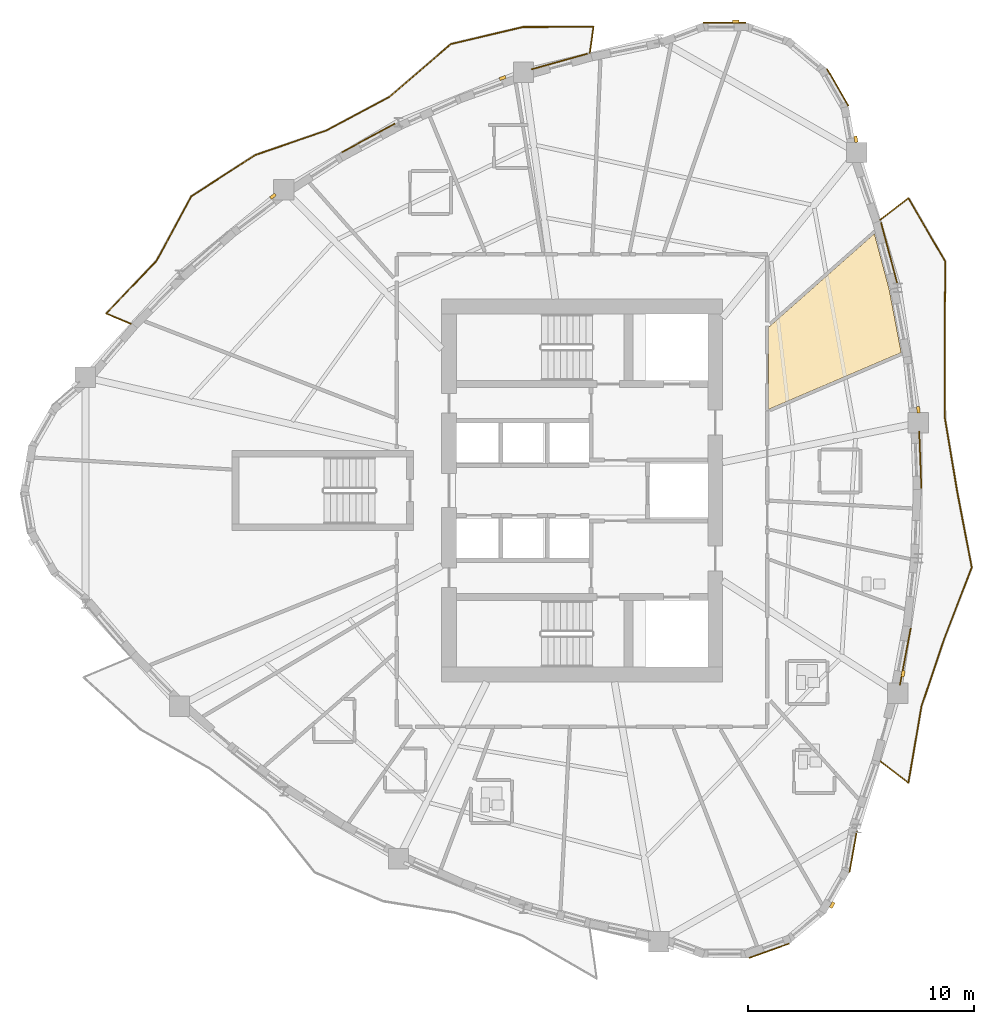
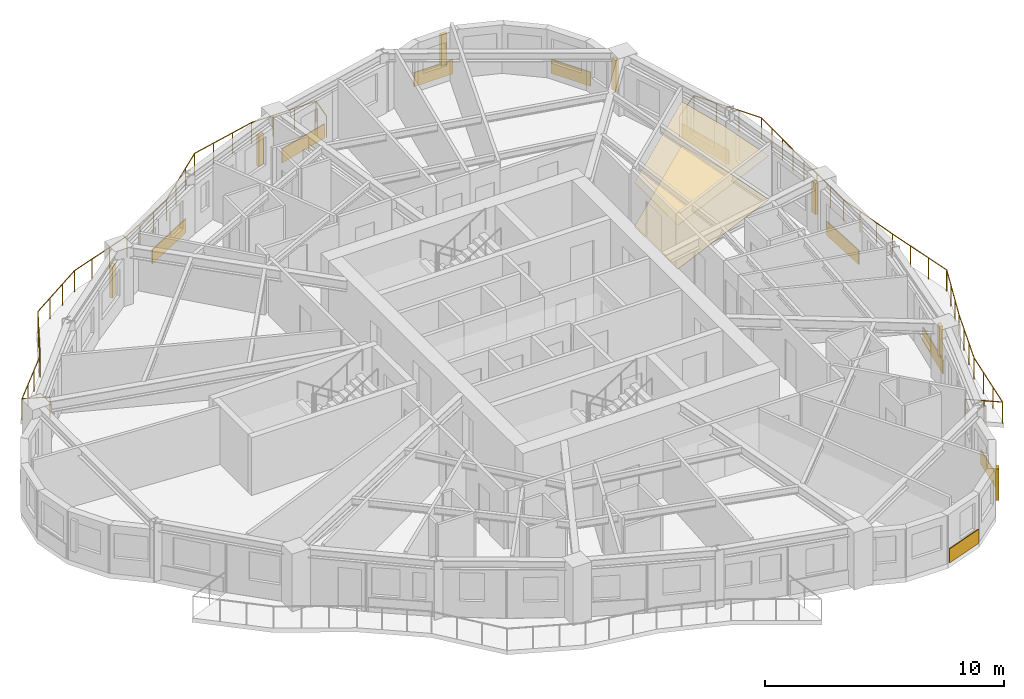
# One storey, part 12 of 13: 11 coverings, 7 shading devices, 2 railings.
"""IFC4 building model written with IfcOpenShell, lengths in metres."""

from ifc_helpers import new_model, si_unit, direction, frame, origin, origin_2d, place, context, subcontext, project, spatial, polyline, rectangle, circle, outline, extrude, source, transform, mapped, material, layer, layer_set, type_object, element, save


model = new_model("IFC4")

# Units and contexts
model_context = context("Model", 3, precision=1e-05, world=origin(), true_north=direction((0.0, 1.0)))
body_context = subcontext(model_context, "Body", "Model", "MODEL_VIEW")
ifc_project = project(units=[si_unit("LENGTHUNIT", "METRE"), si_unit("AREAUNIT", "SQUARE_METRE"), si_unit("VOLUMEUNIT", "CUBIC_METRE"), si_unit("PLANEANGLEUNIT", "RADIAN"), si_unit("MASSUNIT", "GRAM", prefix="KILO")], contexts=[model_context])

# Site, building, storey
site_placement = place(None, origin())
site = spatial("IfcSite", under=ifc_project, at=site_placement, CompositionType="ELEMENT")
building_placement = place(site_placement, origin())
building = spatial("IfcBuilding", under=site, at=building_placement, Name="Qafzar Sky-Pleat Residences", CompositionType="ELEMENT")
storey_placement = place(building_placement, frame((0.0, 0.0, 102.39990234375)))
storey = spatial("IfcBuildingStorey", under=building, at=storey_placement, Name="L30", CompositionType="ELEMENT", Elevation=102.39990234375)

# Coverings
ifc_material_1 = material(Name="Perforated acoustic gypsum board ceiling")
ifc_layer_1 = layer(ifc_material_1, 0.02001953125)
ifc_layer_set_1 = layer_set([ifc_layer_1], Name="Perforated acoustic gypsum board ceiling")
covering_type_1 = type_object("IfcCoveringType", Name="COV-CEIL-ACOUSTIC", PredefinedType="CEILING", material=ifc_layer_set_1)
covering_1_placement = place(storey_placement, frame((0.0, 0.0, 2.239990234375)))
element("IfcCovering", 1, at=covering_1_placement, inside=storey, type_object=covering_type_1, Name="L30 Communal Kitchen Acoustic Ceiling", PredefinedType="CEILING", context=body_context, shape_type="SweptSolid", body=[
    extrude(outline(polyline([(43.91162109375, 34.867431640625), (44.439453125, 32.089599609375), (38.590087890625, 29.58837890625), (38.590087890625, 33.20849609375), (43.25537109375, 37.335205078125), (43.91162109375, 34.867431640625)])), origin(), (0.0, 0.0, 1.0), 0.02001953125),
])
ifc_material_2 = material(Name="Honed porcelain and Riyadh stone tile flooring", Category="masonry")
ifc_layer_2 = layer(ifc_material_2, 0.02001953125)
ifc_layer_set_2 = layer_set([ifc_layer_2], Name="Honed porcelain and Riyadh stone tile flooring")
covering_type_2 = type_object("IfcCoveringType", Name="COV-FLR-PORCELAIN", PredefinedType="FLOORING", material=ifc_layer_set_2)
covering_2_placement = place(storey_placement, origin())
element("IfcCovering", 2, at=covering_2_placement, inside=storey, type_object=covering_type_2, Name="L30 Communal Kitchen Honed Stone Flooring", PredefinedType="FLOORING", context=body_context, shape_type="SweptSolid", body=[
    extrude(outline(polyline([(43.91162109375, 34.867431640625), (44.439453125, 32.089599609375), (38.590087890625, 29.58837890625), (38.590087890625, 33.20849609375), (43.25537109375, 37.335205078125), (43.91162109375, 34.867431640625)])), origin(), (0.0, 0.0, 1.0), 0.02001953125),
])

# Shading devices
ifc_material_3 = material(Name="Honed Riyadh limestone solar fin", Category="masonry")
ifc_layer_3 = layer(ifc_material_3, 0.139892578125)
ifc_layer_set_3 = layer_set([ifc_layer_3], Name="Honed Riyadh limestone solar fin")
shading_device_type = type_object("IfcShadingDeviceType", Name="SHD-FIN-STONE", PredefinedType="SHUTTER", material=ifc_layer_set_3)
shared_shape_1 = source(origin(), body_context, "Body", "SweptSolid", [
    extrude(rectangle(XDim=0.139892578125, YDim=0.280029296875, at=origin_2d()), origin(), (0.0, 0.0, 1.0), 1.60009765625),
])
for number, where, z_axis, x_axis, name in (
    (3, (41.394287109375, 7.69677734375, 0.60009765625), (0.0, 0.0, 1.0), (0.864886560434, -0.501967367047, 0.0), "L30 Limestone Solar Fin 21"),
    (4, (44.522705078125, 17.9111328125, 0.60009765625), (0.0, 0.0, 1.0), (0.982424029178, -0.18666286962, 0.0), "L30 Limestone Solar Fin 25"),
    (5, (45.19873046875, 29.564453125, 0.60009765625), (0.0, 0.0, 1.0), (0.993566321057, 0.11325177995, 0.0), "L30 Limestone Solar Fin 29"),
    (6, (42.439453125, 41.510986328125, 0.60009765625), (0.0, 0.0, 1.0), (0.984675881773, 0.174394403163, 0.0), "L30 Limestone Solar Fin 33"),
    (7, (37.140625, 46.702880859375, 0.60009765625), (0.0, 0.0, 1.0), (-0.006821730637, 0.999976731725, 0.0), "L30 Limestone Solar Fin 37"),
    (8, (26.839111328125, 44.211181640625, 0.60009765625), (0.0, 0.0, 1.0), (-0.338159399338, 0.94108884843, 0.0), "L30 Limestone Solar Fin 41"),
    (9, (16.702880859375, 38.9931640625, 0.60009765625), (0.0, 0.0, 1.0), (-0.602161786865, 0.798374086778, 0.0), "L30 Limestone Solar Fin 45"),
):
    element("IfcShadingDevice", number, at=place(storey_placement, frame(where, z_axis=z_axis, x_axis=x_axis)), inside=storey, type_object=shading_device_type, Name=name, PredefinedType="SHUTTER", context=body_context, shape_type="MappedRepresentation", body=[
        mapped(shared_shape_1, transform((0.0, 0.0, 0.0), x_axis=(1.0, 0.0, 0.0), y_axis=(0.0, 1.0, 0.0), z_axis=(0.0, 0.0, 1.0), scale=1.0)),
    ])

# Coverings
ifc_material_4 = material(Name="Honed Riyadh Tuwaiq limestone cladding", Category="masonry")
ifc_layer_4 = layer(ifc_material_4, 0.044921875)
ifc_layer_set_4 = layer_set([ifc_layer_4], Name="Honed Riyadh Tuwaiq limestone cladding")
covering_type_3 = type_object("IfcCoveringType", Name="COV-CLAD-STONE", PredefinedType="CLADDING", material=ifc_layer_set_4)
shared_shape_2 = source(origin(), body_context, "Body", "SweptSolid", [
    extrude(rectangle(XDim=1.88916015625, YDim=0.044921875, at=origin_2d()), origin(), (0.0, 0.0, 1.0), 0.719970703125),
])
for number, where, z_axis, x_axis, name in (
    (10, (38.609619140625, 5.678955078125, 0.02001953125), (0.0, 0.0, 1.0), (0.941488360606, 0.337045496698, 0.0), "L30 Riyadh Limestone Spandrel Cladding 19"),
    (11, (41.635986328125, 43.80126953125, 0.02001953125), (0.0, 0.0, 1.0), (-0.501956209509, 0.864893036008, 0.0), "L30 Riyadh Limestone Spandrel Cladding 34"),
    (12, (36.63818359375, 46.65625, 0.02001953125), (0.0, 0.0, 1.0), (-0.999976465978, -0.006860575119, 0.0), "L30 Riyadh Limestone Spandrel Cladding 37"),
):
    element("IfcCovering", number, at=place(storey_placement, frame(where, z_axis=z_axis, x_axis=x_axis)), inside=storey, type_object=covering_type_3, Name=name, PredefinedType="CLADDING", context=body_context, shape_type="MappedRepresentation", body=[
        mapped(shared_shape_2, transform((0.0, 0.0, 0.0), x_axis=(1.0, 0.0, 0.0), y_axis=(0.0, 1.0, 0.0), z_axis=(0.0, 0.0, 1.0), scale=1.0)),
    ])
shared_shape_3 = source(origin(), body_context, "Body", "SweptSolid", [
    extrude(rectangle(XDim=1.8369140625, YDim=0.044921875, at=origin_2d()), origin(), (0.0, 0.0, 1.0), 0.719970703125),
])
covering_3_placement = place(storey_placement, frame((42.317626953125, 10.04833984375, 0.02001953125), z_axis=(0.0, 0.0, 1.0), x_axis=(0.174369449256, 0.984680300994, 0.0)))
element("IfcCovering", 13, at=covering_3_placement, inside=storey, type_object=covering_type_3, Name="L30 Riyadh Limestone Spandrel Cladding 22", PredefinedType="CLADDING", context=body_context, shape_type="MappedRepresentation", body=[
    mapped(shared_shape_3, transform((0.0, 0.0, 0.0), x_axis=(1.0, 0.0, 0.0), y_axis=(0.0, 1.0, 0.0), z_axis=(0.0, 0.0, 1.0), scale=1.0)),
])

# Railings
ifc_material_5 = material(Name="Laminated glass and bronze steel balustrade", Category="steel")
railing_type = type_object("IfcRailingType", Name="RAIL-BAL-1100", PredefinedType="BALUSTRADE", material=ifc_material_5)
shared_shape_4 = source(origin(), body_context, "Body", "SweptSolid", [
    extrude(circle(Radius=0.02392578125, at=origin_2d()), frame((0.0, 0.0, 1.076171875), z_axis=(0.792134861586, -0.610346099406, 0.0), x_axis=(0.610346099406, 0.792134861586, 0.0)), (0.0, 0.0, 1.0), 1.578125),
    extrude(circle(Radius=0.02392578125, at=origin_2d()), frame((1.25, -0.963134765625, 1.076171875), z_axis=(0.16829814939, 0.98573613757, 0.0), x_axis=(-0.98573613757, 0.16829814939, 0.0)), (0.0, 0.0, 1.0), 3.4306640625),
    extrude(circle(Radius=0.02392578125, at=origin_2d()), frame((1.827392578125, 2.418701171875, 1.076171875), z_axis=(0.320144738717, 0.947368643281, 0.0), x_axis=(-0.947368643281, 0.320144738717, 0.0)), (0.0, 0.0, 1.0), 3.1953125),
    extrude(circle(Radius=0.02392578125, at=origin_2d()), frame((2.850341796875, 5.44580078125, 1.076171875), z_axis=(0.359283753865, 0.93322836659, 0.0), x_axis=(-0.93322836659, 0.359283753865, 0.0)), (0.0, 0.0, 1.0), 3.328857421875),
    extrude(circle(Radius=0.02392578125, at=origin_2d()), frame((4.04638671875, 8.552490234375, 1.076171875), z_axis=(-0.188514556137, 0.982070395707, 0.0), x_axis=(-0.982070395707, -0.188514556137, 0.0)), (0.0, 0.0, 1.0), 3.455322265625),
    extrude(circle(Radius=0.02392578125, at=origin_2d()), frame((3.39501953125, 11.94580078125, 1.076171875), z_axis=(-0.164227484923, 0.986422492239, 0.0), x_axis=(-0.986422492239, -0.164227484923, 0.0)), (0.0, 0.0, 1.0), 3.23193359375),
    extrude(circle(Radius=0.02392578125, at=origin_2d()), frame((2.8642578125, 15.1337890625, 1.076171875), z_axis=(-0.004201643584, 0.999991173057, 0.0), x_axis=(-0.999991173057, -0.004201643584, 0.0)), (0.0, 0.0, 1.0), 3.31201171875),
    extrude(circle(Radius=0.02392578125, at=origin_2d()), frame((2.850341796875, 18.44580078125, 1.076171875), z_axis=(0.007923359565, 0.999968609694, 0.0), x_axis=(-0.999968609694, 0.007923359565, 0.0)), (0.0, 0.0, 1.0), 3.60498046875),
    extrude(circle(Radius=0.02392578125, at=origin_2d()), frame((2.87890625, 22.05078125, 1.076171875), z_axis=(-0.502320766791, 0.864681355905, 0.0), x_axis=(-0.864681355905, -0.502320766791, 0.0)), (0.0, 0.0, 1.0), 3.24267578125),
    extrude(circle(Radius=0.02392578125, at=origin_2d()), frame((1.25, 24.854736328125, 1.076171875), z_axis=(-0.792134861586, -0.610346099406, 0.0), x_axis=(0.610346099406, -0.792134861586, 0.0)), (0.0, 0.0, 1.0), 1.578125),
    extrude(circle(Radius=0.02099609375, at=origin_2d()), origin(), (0.0, 0.0, 1.0), 1.052001953125),
    extrude(circle(Radius=0.02099609375, at=origin_2d()), frame((0.625, -0.4814453125, 0.0)), (0.0, 0.0, 1.0), 1.052001953125),
    extrude(circle(Radius=0.02099609375, at=origin_2d()), frame((1.25, -0.963134765625, 0.0)), (0.0, 0.0, 1.0), 1.052001953125),
    extrude(circle(Radius=0.02099609375, at=origin_2d()), frame((1.4423828125, 0.1640625, 0.0)), (0.0, 0.0, 1.0), 1.052001953125),
    extrude(circle(Radius=0.02099609375, at=origin_2d()), frame((1.635009765625, 1.29150390625, 0.0)), (0.0, 0.0, 1.0), 1.052001953125),
    extrude(circle(Radius=0.02099609375, at=origin_2d()), frame((1.827392578125, 2.418701171875, 0.0)), (0.0, 0.0, 1.0), 1.052001953125),
    extrude(circle(Radius=0.02099609375, at=origin_2d()), frame((2.16845703125, 3.427734375, 0.0)), (0.0, 0.0, 1.0), 1.052001953125),
    extrude(circle(Radius=0.02099609375, at=origin_2d()), frame((2.50927734375, 4.436767578125, 0.0)), (0.0, 0.0, 1.0), 1.052001953125),
    extrude(circle(Radius=0.02099609375, at=origin_2d()), frame((2.850341796875, 5.44580078125, 0.0)), (0.0, 0.0, 1.0), 1.052001953125),
    extrude(circle(Radius=0.02099609375, at=origin_2d()), frame((3.2490234375, 6.4814453125, 0.0)), (0.0, 0.0, 1.0), 1.052001953125),
    extrude(circle(Radius=0.02099609375, at=origin_2d()), frame((3.647705078125, 7.516845703125, 0.0)), (0.0, 0.0, 1.0), 1.052001953125),
    extrude(circle(Radius=0.02099609375, at=origin_2d()), frame((4.04638671875, 8.552490234375, 0.0)), (0.0, 0.0, 1.0), 1.052001953125),
    extrude(circle(Radius=0.02099609375, at=origin_2d()), frame((3.829345703125, 9.68359375, 0.0)), (0.0, 0.0, 1.0), 1.052001953125),
    extrude(circle(Radius=0.02099609375, at=origin_2d()), frame((3.612060546875, 10.814697265625, 0.0)), (0.0, 0.0, 1.0), 1.052001953125),
    extrude(circle(Radius=0.02099609375, at=origin_2d()), frame((3.39501953125, 11.94580078125, 0.0)), (0.0, 0.0, 1.0), 1.052001953125),
    extrude(circle(Radius=0.02099609375, at=origin_2d()), frame((3.218017578125, 13.008544921875, 0.0)), (0.0, 0.0, 1.0), 1.052001953125),
    extrude(circle(Radius=0.02099609375, at=origin_2d()), frame((3.041259765625, 14.071044921875, 0.0)), (0.0, 0.0, 1.0), 1.052001953125),
    extrude(circle(Radius=0.02099609375, at=origin_2d()), frame((2.8642578125, 15.1337890625, 0.0)), (0.0, 0.0, 1.0), 1.052001953125),
    extrude(circle(Radius=0.02099609375, at=origin_2d()), frame((2.859619140625, 16.23779296875, 0.0)), (0.0, 0.0, 1.0), 1.052001953125),
    extrude(circle(Radius=0.02099609375, at=origin_2d()), frame((2.85498046875, 17.341796875, 0.0)), (0.0, 0.0, 1.0), 1.052001953125),
    extrude(circle(Radius=0.02099609375, at=origin_2d()), frame((2.850341796875, 18.44580078125, 0.0)), (0.0, 0.0, 1.0), 1.052001953125),
    extrude(circle(Radius=0.02099609375, at=origin_2d()), frame((2.857421875, 19.34716796875, 0.0)), (0.0, 0.0, 1.0), 1.052001953125),
    extrude(circle(Radius=0.02099609375, at=origin_2d()), frame((2.86474609375, 20.248291015625, 0.0)), (0.0, 0.0, 1.0), 1.052001953125),
    extrude(circle(Radius=0.02099609375, at=origin_2d()), frame((2.871826171875, 21.1494140625, 0.0)), (0.0, 0.0, 1.0), 1.052001953125),
    extrude(circle(Radius=0.02099609375, at=origin_2d()), frame((2.87890625, 22.05078125, 0.0)), (0.0, 0.0, 1.0), 1.052001953125),
    extrude(circle(Radius=0.02099609375, at=origin_2d()), frame((2.3359375, 22.9853515625, 0.0)), (0.0, 0.0, 1.0), 1.052001953125),
    extrude(circle(Radius=0.02099609375, at=origin_2d()), frame((1.79296875, 23.920166015625, 0.0)), (0.0, 0.0, 1.0), 1.052001953125),
    extrude(circle(Radius=0.02099609375, at=origin_2d()), frame((1.25, 24.854736328125, 0.0)), (0.0, 0.0, 1.0), 1.052001953125),
    extrude(circle(Radius=0.02099609375, at=origin_2d()), frame((0.625, 24.373046875, 0.0)), (0.0, 0.0, 1.0), 1.052001953125),
    extrude(circle(Radius=0.02099609375, at=origin_2d()), frame((0.0, 23.8916015625, 0.0)), (0.0, 0.0, 1.0), 1.052001953125),
])
railing_1_placement = place(storey_placement, frame((43.5078125, 14.05419921875, 0.0)))
element("IfcRailing", 14, at=railing_1_placement, inside=storey, type_object=railing_type, Name="L30 Pleated Balcony 1 Balustrade", PredefinedType="BALUSTRADE", context=body_context, shape_type="MappedRepresentation", body=[
    mapped(shared_shape_4, transform((0.0, 0.0, 0.0), x_axis=(1.0, 0.0, 0.0), y_axis=(0.0, 1.0, 0.0), z_axis=(0.0, 0.0, 1.0), scale=1.0)),
])
shared_shape_5 = source(origin(), body_context, "Body", "SweptSolid", [
    extrude(circle(Radius=0.02392578125, at=origin_2d()), frame((0.0, 0.0, 1.076171875), z_axis=(0.138025835279, 0.990428628825, 0.0), x_axis=(-0.990428628825, 0.138025835279, 0.0)), (0.0, 0.0, 1.0), 1.177978515625),
    extrude(circle(Radius=0.02392578125, at=origin_2d()), frame((0.16259765625, 1.166748046875, 1.076171875), z_axis=(-0.999996662065, -0.002583768388, 0.0), x_axis=(0.002583768388, -0.999996662065, 0.0)), (0.0, 0.0, 1.0), 3.1181640625),
    extrude(circle(Radius=0.02392578125, at=origin_2d()), frame((-2.95556640625, 1.15869140625, 1.076171875), z_axis=(-0.973163944314, -0.230112879882, 0.0), x_axis=(0.230112879882, -0.973163944314, 0.0)), (0.0, 0.0, 1.0), 3.269775390625),
    extrude(circle(Radius=0.02392578125, at=origin_2d()), frame((-6.1376953125, 0.40625, 1.076171875), z_axis=(-0.75763261698, -0.652681252747, 0.0), x_axis=(0.652681252747, -0.75763261698, 0.0)), (0.0, 0.0, 1.0), 3.57080078125),
    extrude(circle(Radius=0.02392578125, at=origin_2d()), frame((-8.843017578125, -1.92431640625, 1.076171875), z_axis=(-0.882195949825, -0.470882475903, 0.0), x_axis=(0.470882475903, -0.882195949825, 0.0)), (0.0, 0.0, 1.0), 3.1435546875),
    extrude(circle(Radius=0.02392578125, at=origin_2d()), frame((-11.6162109375, -3.404541015625, 1.076171875), z_axis=(-0.94559712161, -0.325339950826, 0.0), x_axis=(0.325339950826, -0.94559712161, 0.0)), (0.0, 0.0, 1.0), 3.330322265625),
    extrude(circle(Radius=0.02392578125, at=origin_2d()), frame((-14.765380859375, -4.488037109375, 1.076171875), z_axis=(-0.840181380726, -0.542305492763, 0.0), x_axis=(0.542305492763, -0.840181380726, 0.0)), (0.0, 0.0, 1.0), 3.362060546875),
    extrude(circle(Radius=0.02392578125, at=origin_2d()), frame((-17.590087890625, -6.311279296875, 1.076171875), z_axis=(-0.475515457423, -0.879707365976, 0.0), x_axis=(0.879707365976, -0.475515457423, 0.0)), (0.0, 0.0, 1.0), 3.23828125),
    extrude(circle(Radius=0.02392578125, at=origin_2d()), frame((-19.1298828125, -9.159912109375, 1.076171875), z_axis=(-0.689522572327, -0.724264193683, 0.0), x_axis=(0.724264193683, -0.689522572327, 0.0)), (0.0, 0.0, 1.0), 3.218505859375),
    extrude(circle(Radius=0.02392578125, at=origin_2d()), frame((-21.34912109375, -11.490966796875, 1.076171875), z_axis=(0.922351683959, -0.386351357056, 0.0), x_axis=(0.386351357056, 0.922351683959, 0.0)), (0.0, 0.0, 1.0), 1.177978515625),
    extrude(circle(Radius=0.02099609375, at=origin_2d()), origin(), (0.0, 0.0, 1.0), 1.052001953125),
    extrude(circle(Radius=0.02099609375, at=origin_2d()), frame((0.16259765625, 1.166748046875, 0.0)), (0.0, 0.0, 1.0), 1.052001953125),
    extrude(circle(Radius=0.02099609375, at=origin_2d()), frame((-0.876708984375, 1.1640625, 0.0)), (0.0, 0.0, 1.0), 1.052001953125),
    extrude(circle(Radius=0.02099609375, at=origin_2d()), frame((-1.916259765625, 1.161376953125, 0.0)), (0.0, 0.0, 1.0), 1.052001953125),
    extrude(circle(Radius=0.02099609375, at=origin_2d()), frame((-2.95556640625, 1.15869140625, 0.0)), (0.0, 0.0, 1.0), 1.052001953125),
    extrude(circle(Radius=0.02099609375, at=origin_2d()), frame((-4.016357421875, 0.907958984375, 0.0)), (0.0, 0.0, 1.0), 1.052001953125),
    extrude(circle(Radius=0.02099609375, at=origin_2d()), frame((-5.076904296875, 0.656982421875, 0.0)), (0.0, 0.0, 1.0), 1.052001953125),
    extrude(circle(Radius=0.02099609375, at=origin_2d()), frame((-6.1376953125, 0.40625, 0.0)), (0.0, 0.0, 1.0), 1.052001953125),
    extrude(circle(Radius=0.02099609375, at=origin_2d()), frame((-7.03955078125, -0.37060546875, 0.0)), (0.0, 0.0, 1.0), 1.052001953125),
    extrude(circle(Radius=0.02099609375, at=origin_2d()), frame((-7.941162109375, -1.1474609375, 0.0)), (0.0, 0.0, 1.0), 1.052001953125),
    extrude(circle(Radius=0.02099609375, at=origin_2d()), frame((-8.843017578125, -1.92431640625, 0.0)), (0.0, 0.0, 1.0), 1.052001953125),
    extrude(circle(Radius=0.02099609375, at=origin_2d()), frame((-9.767333984375, -2.417724609375, 0.0)), (0.0, 0.0, 1.0), 1.052001953125),
    extrude(circle(Radius=0.02099609375, at=origin_2d()), frame((-10.69189453125, -2.9111328125, 0.0)), (0.0, 0.0, 1.0), 1.052001953125),
    extrude(circle(Radius=0.02099609375, at=origin_2d()), frame((-11.6162109375, -3.404541015625, 0.0)), (0.0, 0.0, 1.0), 1.052001953125),
    extrude(circle(Radius=0.02099609375, at=origin_2d()), frame((-12.666015625, -3.765625, 0.0)), (0.0, 0.0, 1.0), 1.052001953125),
    extrude(circle(Radius=0.02099609375, at=origin_2d()), frame((-13.715576171875, -4.126953125, 0.0)), (0.0, 0.0, 1.0), 1.052001953125),
    extrude(circle(Radius=0.02099609375, at=origin_2d()), frame((-14.765380859375, -4.488037109375, 0.0)), (0.0, 0.0, 1.0), 1.052001953125),
    extrude(circle(Radius=0.02099609375, at=origin_2d()), frame((-15.70703125, -5.095703125, 0.0)), (0.0, 0.0, 1.0), 1.052001953125),
    extrude(circle(Radius=0.02099609375, at=origin_2d()), frame((-16.6484375, -5.70361328125, 0.0)), (0.0, 0.0, 1.0), 1.052001953125),
    extrude(circle(Radius=0.02099609375, at=origin_2d()), frame((-17.590087890625, -6.311279296875, 0.0)), (0.0, 0.0, 1.0), 1.052001953125),
    extrude(circle(Radius=0.02099609375, at=origin_2d()), frame((-18.103271484375, -7.2607421875, 0.0)), (0.0, 0.0, 1.0), 1.052001953125),
    extrude(circle(Radius=0.02099609375, at=origin_2d()), frame((-18.61669921875, -8.21044921875, 0.0)), (0.0, 0.0, 1.0), 1.052001953125),
    extrude(circle(Radius=0.02099609375, at=origin_2d()), frame((-19.1298828125, -9.159912109375, 0.0)), (0.0, 0.0, 1.0), 1.052001953125),
    extrude(circle(Radius=0.02099609375, at=origin_2d()), frame((-19.86962890625, -9.93701171875, 0.0)), (0.0, 0.0, 1.0), 1.052001953125),
    extrude(circle(Radius=0.02099609375, at=origin_2d()), frame((-20.609375, -10.7138671875, 0.0)), (0.0, 0.0, 1.0), 1.052001953125),
    extrude(circle(Radius=0.02099609375, at=origin_2d()), frame((-21.34912109375, -11.490966796875, 0.0)), (0.0, 0.0, 1.0), 1.052001953125),
    extrude(circle(Radius=0.02099609375, at=origin_2d()), frame((-20.2626953125, -11.946044921875, 0.0)), (0.0, 0.0, 1.0), 1.052001953125),
])
railing_2_placement = place(storey_placement, frame((30.69189453125, 45.304931640625, 0.0)))
element("IfcRailing", 15, at=railing_2_placement, inside=storey, type_object=railing_type, Name="L30 Pleated Balcony 2 Balustrade", PredefinedType="BALUSTRADE", context=body_context, shape_type="MappedRepresentation", body=[
    mapped(shared_shape_5, transform((0.0, 0.0, 0.0), x_axis=(1.0, 0.0, 0.0), y_axis=(0.0, 1.0, 0.0), z_axis=(0.0, 0.0, 1.0), scale=1.0)),
])

# Coverings
shared_shape_6 = source(origin(), body_context, "Body", "SweptSolid", [
    extrude(rectangle(XDim=2.5615234375, YDim=0.044921875, at=origin_2d()), origin(), (0.0, 0.0, 1.0), 0.719970703125),
])
covering_4_placement = place(storey_placement, frame((44.622314453125, 18.666015625, 0.02001953125), z_axis=(0.0, 0.0, 1.0), x_axis=(0.186674549414, 0.982421809917, 0.0)))
element("IfcCovering", 16, at=covering_4_placement, inside=storey, type_object=covering_type_3, Name="L30 Riyadh Limestone Spandrel Cladding 25", PredefinedType="CLADDING", context=body_context, shape_type="MappedRepresentation", body=[
    mapped(shared_shape_6, transform((0.0, 0.0, 0.0), x_axis=(1.0, 0.0, 0.0), y_axis=(0.0, 1.0, 0.0), z_axis=(0.0, 0.0, 1.0), scale=1.0)),
])
shared_shape_7 = source(origin(), body_context, "Body", "SweptSolid", [
    extrude(rectangle(XDim=2.515380859375, YDim=0.044921875, at=origin_2d()), origin(), (0.0, 0.0, 1.0), 0.719970703125),
])
covering_5_placement = place(storey_placement, frame((45.283203125, 27.359375, 0.02001953125), z_axis=(0.0, 0.0, 1.0), x_axis=(-0.037963161228, 0.999279139375, 0.0)))
element("IfcCovering", 17, at=covering_5_placement, inside=storey, type_object=covering_type_3, Name="L30 Riyadh Limestone Spandrel Cladding 28", PredefinedType="CLADDING", context=body_context, shape_type="MappedRepresentation", body=[
    mapped(shared_shape_7, transform((0.0, 0.0, 0.0), x_axis=(1.0, 0.0, 0.0), y_axis=(0.0, 1.0, 0.0), z_axis=(0.0, 0.0, 1.0), scale=1.0)),
])
shared_shape_8 = source(origin(), body_context, "Body", "SweptSolid", [
    extrude(rectangle(XDim=2.795654296875, YDim=0.044921875, at=origin_2d()), origin(), (0.0, 0.0, 1.0), 0.719970703125),
])
covering_6_placement = place(storey_placement, frame((43.908935546875, 36.47998046875, 0.02001953125), z_axis=(0.0, 0.0, 1.0), x_axis=(-0.257081553547, 0.966389711672, 0.0)))
element("IfcCovering", 18, at=covering_6_placement, inside=storey, type_object=covering_type_3, Name="L30 Riyadh Limestone Spandrel Cladding 31", PredefinedType="CLADDING", context=body_context, shape_type="MappedRepresentation", body=[
    mapped(shared_shape_8, transform((0.0, 0.0, 0.0), x_axis=(1.0, 0.0, 0.0), y_axis=(0.0, 1.0, 0.0), z_axis=(0.0, 0.0, 1.0), scale=1.0)),
])
shared_shape_9 = source(origin(), body_context, "Body", "SweptSolid", [
    extrude(rectangle(XDim=2.563720703125, YDim=0.044921875, at=origin_2d()), origin(), (0.0, 0.0, 1.0), 0.719970703125),
])
covering_7_placement = place(storey_placement, frame((29.34912109375, 44.940673828125, 0.02001953125), z_axis=(0.0, 0.0, 1.0), x_axis=(-0.963029981649, -0.269394236101, 0.0)))
element("IfcCovering", 19, at=covering_7_placement, inside=storey, type_object=covering_type_3, Name="L30 Riyadh Limestone Spandrel Cladding 40", PredefinedType="CLADDING", context=body_context, shape_type="MappedRepresentation", body=[
    mapped(shared_shape_9, transform((0.0, 0.0, 0.0), x_axis=(1.0, 0.0, 0.0), y_axis=(0.0, 1.0, 0.0), z_axis=(0.0, 0.0, 1.0), scale=1.0)),
])
shared_shape_10 = source(origin(), body_context, "Body", "SweptSolid", [
    extrude(rectangle(XDim=2.66259765625, YDim=0.044921875, at=origin_2d()), origin(), (0.0, 0.0, 1.0), 0.719970703125),
])
covering_8_placement = place(storey_placement, frame((20.916015625, 41.56640625, 0.02001953125), z_axis=(0.0, 0.0, 1.0), x_axis=(-0.880074639523, -0.474835370279, 0.0)))
element("IfcCovering", 20, at=covering_8_placement, inside=storey, type_object=covering_type_3, Name="L30 Riyadh Limestone Spandrel Cladding 43", PredefinedType="CLADDING", context=body_context, shape_type="MappedRepresentation", body=[
    mapped(shared_shape_10, transform((0.0, 0.0, 0.0), x_axis=(1.0, 0.0, 0.0), y_axis=(0.0, 1.0, 0.0), z_axis=(0.0, 0.0, 1.0), scale=1.0)),
])

save(model, "model.ifc")
